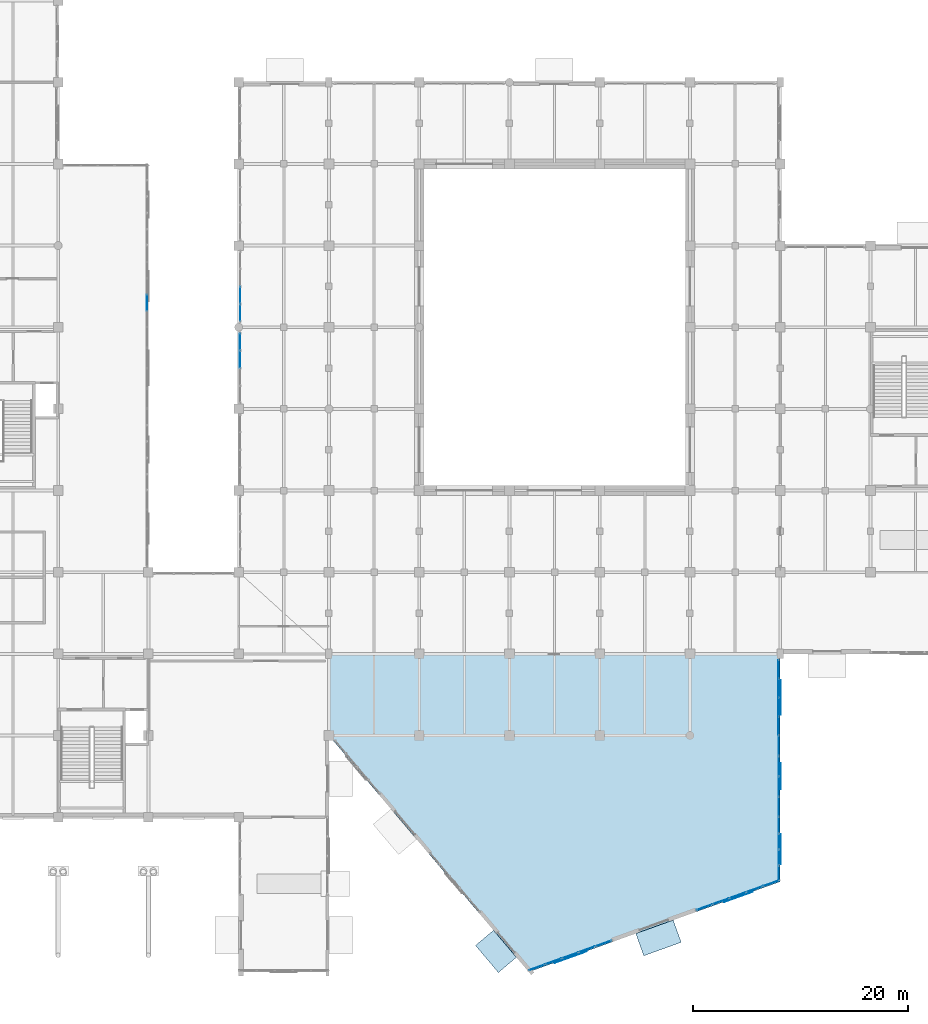
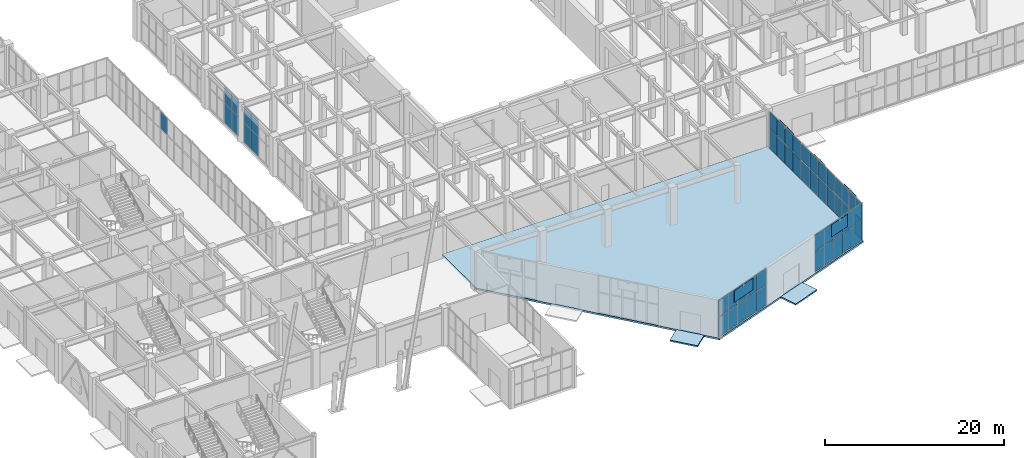
# One storey, part 103 of 139: 58 plates, 3 slabs, 8 elements without a shape of their own.
"""IFC4 building model written with IfcOpenShell, lengths in metres."""

from ifc_helpers import new_model, si_unit, direction, frame, origin, origin_2d, place, context, subcontext, project, spatial, polyline, rectangle, outline, extrude, material, layer, layer_set, type_object, element, aggregate, save


model = new_model("IFC4")

# Units and contexts
model_context = context("Model", 3, precision=1e-05, world=origin(), true_north=direction((0.0, 1.0)))
body_context = subcontext(model_context, "Body", "Model", "MODEL_VIEW")
ifc_project = project(units=[si_unit("LENGTHUNIT", "METRE"), si_unit("AREAUNIT", "SQUARE_METRE"), si_unit("VOLUMEUNIT", "CUBIC_METRE"), si_unit("PLANEANGLEUNIT", "RADIAN"), si_unit("MASSUNIT", "GRAM", prefix="KILO")], contexts=[model_context])

# Site, building, storey
site_placement = place(None, origin())
site = spatial("IfcSite", under=ifc_project, at=site_placement, CompositionType="ELEMENT")
building_placement = place(site_placement, origin())
building = spatial("IfcBuilding", under=site, at=building_placement, Name="Xicomal Pleat Aquarium", CompositionType="ELEMENT")
storey_placement = place(building_placement, origin())
storey = spatial("IfcBuildingStorey", under=building, at=storey_placement, Name="L01", CompositionType="ELEMENT", Elevation=0.0)

# Curtain wall, plate
ifc_material_1 = material(Name="Bronze anodized aluminium 6063-T6", Category="aluminium")
ifc_layer_1 = layer(ifc_material_1, 0.159912109375)
ifc_layer_set_1 = layer_set([ifc_layer_1], Name="Bronze anodized aluminium 6063-T6")
curtain_wall_type_1 = type_object("IfcCurtainWallType", Name="CW-SYS-01", PredefinedType="NOTDEFINED", material=ifc_layer_set_1)
curtain_wall_1_placement = place(storey_placement, origin())
curtain_wall_1 = element("IfcCurtainWall", 1, at=curtain_wall_1_placement, inside=storey, type_object=curtain_wall_type_1, Name="L01 unitised curtain wall CW-L01-024", PredefinedType="NOTDEFINED")
ifc_material_2 = material(Name="Insulated low-E laminated glass", Category="glass")
ifc_layer_2 = layer(ifc_material_2, 0.028076171875)
ifc_layer_set_2 = layer_set([ifc_layer_2], Name="Insulated low-E laminated glass")
plate_type_1 = type_object("IfcPlateType", Name="CWP-GLZ-28", PredefinedType="CURTAIN_PANEL", material=ifc_layer_set_2)
plate_1_placement = place(storey_placement, frame((35.260009765625, 63.080078125, 2.818359375), z_axis=(0.0, 0.0, 1.0), x_axis=(0.0, -1.0, 0.0)))
plate_1 = element("IfcPlate", 2, at=plate_1_placement, type_object=plate_type_1, Name="CW-01 panel 4.2", PredefinedType="CURTAIN_PANEL", context=body_context, shape_type="SweptSolid", body=[
    extrude(rectangle(XDim=1.455078125, YDim=0.028076171875, at=origin_2d()), origin(), (0.0, 0.0, 1.0), 2.276611328125),
])
aggregate(curtain_wall_1, [plate_1])

# Curtain wall, plates
ifc_material_3 = material(Name="Bronze anodized aluminium 6063-T6", Category="aluminium")
ifc_layer_3 = layer(ifc_material_3, 0.159912109375)
ifc_layer_set_3 = layer_set([ifc_layer_3], Name="Bronze anodized aluminium 6063-T6")
curtain_wall_type_2 = type_object("IfcCurtainWallType", Name="CW-SYS-11", PredefinedType="NOTDEFINED", material=ifc_layer_set_3)
curtain_wall_2_placement = place(storey_placement, origin())
curtain_wall_2 = element("IfcCurtainWall", 3, at=curtain_wall_2_placement, inside=storey, type_object=curtain_wall_type_2, Name="L01 unitised curtain wall CW-L01-032", PredefinedType="NOTDEFINED")
plate_2_placement = place(storey_placement, frame((43.93994140625, 62.161376953125, 0.0849609375), z_axis=(0.0, 0.0, 1.0), x_axis=(0.0, 1.0, 0.0)))
plate_2 = element("IfcPlate", 4, at=plate_2_placement, type_object=plate_type_1, Name="CW-11 panel 1.1", PredefinedType="CURTAIN_PANEL", context=body_context, shape_type="SweptSolid", body=[
    extrude(rectangle(XDim=1.512451171875, YDim=0.028076171875, at=origin_2d()), origin(), (0.0, 0.0, 1.0), 2.62646484375),
])
plate_3_placement = place(storey_placement, frame((43.93994140625, 62.161376953125, 2.79638671875), z_axis=(0.0, 0.0, 1.0), x_axis=(0.0, 1.0, 0.0)))
plate_3 = element("IfcPlate", 5, at=plate_3_placement, type_object=plate_type_1, Name="CW-11 panel 1.2", PredefinedType="CURTAIN_PANEL", context=body_context, shape_type="SweptSolid", body=[
    extrude(rectangle(XDim=1.512451171875, YDim=0.028076171875, at=origin_2d()), origin(), (0.0, 0.0, 1.0), 2.218505859375),
])
plate_4_placement = place(storey_placement, frame((43.93994140625, 63.780029296875, 0.0849609375), z_axis=(0.0, 0.0, 1.0), x_axis=(0.0, 1.0, 0.0)))
plate_4 = element("IfcPlate", 6, at=plate_4_placement, type_object=plate_type_1, Name="CW-11 panel 2.1", PredefinedType="CURTAIN_PANEL", context=body_context, shape_type="SweptSolid", body=[
    extrude(rectangle(XDim=1.554931640625, YDim=0.028076171875, at=origin_2d()), origin(), (0.0, 0.0, 1.0), 2.62646484375),
])
plate_5_placement = place(storey_placement, frame((43.93994140625, 63.780029296875, 2.79638671875), z_axis=(0.0, 0.0, 1.0), x_axis=(0.0, 1.0, 0.0)))
plate_5 = element("IfcPlate", 7, at=plate_5_placement, type_object=plate_type_1, Name="CW-11 panel 2.2", PredefinedType="CURTAIN_PANEL", context=body_context, shape_type="SweptSolid", body=[
    extrude(rectangle(XDim=1.554931640625, YDim=0.028076171875, at=origin_2d()), origin(), (0.0, 0.0, 1.0), 2.218505859375),
])
aggregate(curtain_wall_2, [plate_2, plate_3, plate_4, plate_5])

ifc_material_4 = material(Name="Bronze anodized aluminium 6063-T6", Category="aluminium")
ifc_layer_4 = layer(ifc_material_4, 0.159912109375)
ifc_layer_set_4 = layer_set([ifc_layer_4], Name="Bronze anodized aluminium 6063-T6")
curtain_wall_type_3 = type_object("IfcCurtainWallType", Name="CW-SYS-06", PredefinedType="NOTDEFINED", material=ifc_layer_set_4)
curtain_wall_3_placement = place(storey_placement, origin())
curtain_wall_3 = element("IfcCurtainWall", 8, at=curtain_wall_3_placement, inside=storey, type_object=curtain_wall_type_3, Name="L01 unitised curtain wall CW-L01-052", PredefinedType="NOTDEFINED")
plate_6_placement = place(storey_placement, frame((94.06005859375, 21.831298828125, 0.0751953125), z_axis=(0.0, 0.0, 1.0), x_axis=(0.0, -1.0, 0.0)))
plate_6 = element("IfcPlate", 9, at=plate_6_placement, type_object=plate_type_1, Name="CW-06 panel 1.1", PredefinedType="CURTAIN_PANEL", context=body_context, shape_type="SweptSolid", body=[
    extrude(rectangle(XDim=1.78759765625, YDim=0.028076171875, at=origin_2d()), origin(), (0.0, 0.0, 1.0), 2.673583984375),
])
plate_7_placement = place(storey_placement, frame((94.06005859375, 21.831298828125, 2.82373046875), z_axis=(0.0, 0.0, 1.0), x_axis=(0.0, -1.0, 0.0)))
plate_7 = element("IfcPlate", 10, at=plate_7_placement, type_object=plate_type_1, Name="CW-06 panel 1.2", PredefinedType="CURTAIN_PANEL", context=body_context, shape_type="SweptSolid", body=[
    extrude(rectangle(XDim=1.78759765625, YDim=0.028076171875, at=origin_2d()), origin(), (0.0, 0.0, 1.0), 2.261474609375),
])
plate_8_placement = place(storey_placement, frame((94.06005859375, 19.949951171875, 0.0751953125), z_axis=(0.0, 0.0, 1.0), x_axis=(0.0, -1.0, 0.0)))
plate_8 = element("IfcPlate", 11, at=plate_8_placement, type_object=plate_type_1, Name="CW-06 panel 2.1", PredefinedType="CURTAIN_PANEL", context=body_context, shape_type="SweptSolid", body=[
    extrude(rectangle(XDim=1.824951171875, YDim=0.028076171875, at=origin_2d()), origin(), (0.0, 0.0, 1.0), 2.673583984375),
])
plate_9_placement = place(storey_placement, frame((94.06005859375, 19.949951171875, 2.82373046875), z_axis=(0.0, 0.0, 1.0), x_axis=(0.0, -1.0, 0.0)))
plate_9 = element("IfcPlate", 12, at=plate_9_placement, type_object=plate_type_1, Name="CW-06 panel 2.2", PredefinedType="CURTAIN_PANEL", context=body_context, shape_type="SweptSolid", body=[
    extrude(rectangle(XDim=1.824951171875, YDim=0.028076171875, at=origin_2d()), origin(), (0.0, 0.0, 1.0), 2.261474609375),
])
plate_10_placement = place(storey_placement, frame((94.06005859375, 18.050048828125, 0.0751953125), z_axis=(0.0, 0.0, 1.0), x_axis=(0.0, -1.0, 0.0)))
plate_10 = element("IfcPlate", 13, at=plate_10_placement, type_object=plate_type_1, Name="CW-06 panel 3.1", PredefinedType="CURTAIN_PANEL", context=body_context, shape_type="SweptSolid", body=[
    extrude(rectangle(XDim=1.824951171875, YDim=0.028076171875, at=origin_2d()), origin(), (0.0, 0.0, 1.0), 2.673583984375),
])
plate_11_placement = place(storey_placement, frame((94.06005859375, 18.050048828125, 2.82373046875), z_axis=(0.0, 0.0, 1.0), x_axis=(0.0, -1.0, 0.0)))
plate_11 = element("IfcPlate", 14, at=plate_11_placement, type_object=plate_type_1, Name="CW-06 panel 3.2", PredefinedType="CURTAIN_PANEL", context=body_context, shape_type="SweptSolid", body=[
    extrude(rectangle(XDim=1.824951171875, YDim=0.028076171875, at=origin_2d()), origin(), (0.0, 0.0, 1.0), 2.261474609375),
])
plate_12_placement = place(storey_placement, frame((94.06005859375, 16.168701171875, 0.0751953125), z_axis=(0.0, 0.0, 1.0), x_axis=(0.0, -1.0, 0.0)))
plate_12 = element("IfcPlate", 15, at=plate_12_placement, type_object=plate_type_1, Name="CW-06 panel 4.1", PredefinedType="CURTAIN_PANEL", context=body_context, shape_type="SweptSolid", body=[
    extrude(rectangle(XDim=1.78759765625, YDim=0.028076171875, at=origin_2d()), origin(), (0.0, 0.0, 1.0), 2.673583984375),
])
plate_13_placement = place(storey_placement, frame((94.06005859375, 16.168701171875, 2.82373046875), z_axis=(0.0, 0.0, 1.0), x_axis=(0.0, -1.0, 0.0)))
plate_13 = element("IfcPlate", 16, at=plate_13_placement, type_object=plate_type_1, Name="CW-06 panel 4.2", PredefinedType="CURTAIN_PANEL", context=body_context, shape_type="SweptSolid", body=[
    extrude(rectangle(XDim=1.78759765625, YDim=0.028076171875, at=origin_2d()), origin(), (0.0, 0.0, 1.0), 2.261474609375),
])
aggregate(curtain_wall_3, [plate_6, plate_7, plate_8, plate_9, plate_10, plate_11, plate_12, plate_13])

curtain_wall_4_placement = place(storey_placement, origin())
curtain_wall_4 = element("IfcCurtainWall", 17, at=curtain_wall_4_placement, inside=storey, type_object=curtain_wall_type_3, Name="L01 unitised curtain wall CW-L01-001", PredefinedType="NOTDEFINED")
ifc_material_5 = material(Name="Insulated low-E laminated glass", Category="glass")
ifc_layer_5 = layer(ifc_material_5, 0.031982421875)
ifc_layer_set_5 = layer_set([ifc_layer_5], Name="Insulated low-E laminated glass")
plate_type_2 = type_object("IfcPlateType", Name="CWP-GLZ-32", PredefinedType="CURTAIN_PANEL", material=ifc_layer_set_5)
plate_14_placement = place(storey_placement, frame((93.35546875, 9.045654296875, 0.0751953125), z_axis=(0.0, 0.0, 1.0), x_axis=(-0.941194670764, -0.3378647536, 0.0)))
plate_14 = element("IfcPlate", 18, at=plate_14_placement, type_object=plate_type_2, Name="CW-06 panel 1.1", PredefinedType="CURTAIN_PANEL", context=body_context, shape_type="SweptSolid", body=[
    extrude(rectangle(XDim=1.544921875, YDim=0.031982421875, at=origin_2d()), origin(), (0.0, 0.0, 1.0), 2.673583984375),
])
plate_15_placement = place(storey_placement, frame((93.35546875, 9.045654296875, 2.82373046875), z_axis=(0.0, 0.0, 1.0), x_axis=(-0.941194670764, -0.3378647536, 0.0)))
plate_15 = element("IfcPlate", 19, at=plate_15_placement, type_object=plate_type_2, Name="CW-06 panel 1.2", PredefinedType="CURTAIN_PANEL", context=body_context, shape_type="SweptSolid", body=[
    extrude(rectangle(XDim=1.544921875, YDim=0.031982421875, at=origin_2d()), origin(), (0.0, 0.0, 1.0), 2.261474609375),
])
plate_16_placement = place(storey_placement, frame((91.81298828125, 8.491943359375, 0.0751953125), z_axis=(0.0, 0.0, 1.0), x_axis=(-0.941194670764, -0.3378647536, 0.0)))
plate_16 = element("IfcPlate", 20, at=plate_16_placement, type_object=plate_type_2, Name="CW-06 panel 2.1", PredefinedType="CURTAIN_PANEL", context=body_context, shape_type="SweptSolid", body=[
    extrude(rectangle(XDim=1.58251953125, YDim=0.031982421875, at=origin_2d()), origin(), (0.0, 0.0, 1.0), 2.673583984375),
])
plate_17_placement = place(storey_placement, frame((91.81298828125, 8.491943359375, 2.82373046875), z_axis=(0.0, 0.0, 1.0), x_axis=(-0.941194670764, -0.3378647536, 0.0)))
plate_17 = element("IfcPlate", 21, at=plate_17_placement, type_object=plate_type_2, Name="CW-06 panel 2.2", PredefinedType="CURTAIN_PANEL", context=body_context, shape_type="SweptSolid", body=[
    extrude(rectangle(XDim=1.58251953125, YDim=0.031982421875, at=origin_2d()), origin(), (0.0, 0.0, 1.0), 2.261474609375),
])
plate_18_placement = place(storey_placement, frame((90.2529296875, 7.931884765625, 0.0751953125), z_axis=(0.0, 0.0, 1.0), x_axis=(-0.941194670764, -0.3378647536, 0.0)))
plate_18 = element("IfcPlate", 22, at=plate_18_placement, type_object=plate_type_2, Name="CW-06 panel 3.1", PredefinedType="CURTAIN_PANEL", context=body_context, shape_type="SweptSolid", body=[
    extrude(rectangle(XDim=1.58251953125, YDim=0.031982421875, at=origin_2d()), origin(), (0.0, 0.0, 1.0), 2.673583984375),
])
plate_19_placement = place(storey_placement, frame((90.2529296875, 7.931884765625, 2.82373046875), z_axis=(0.0, 0.0, 1.0), x_axis=(-0.941194670764, -0.3378647536, 0.0)))
plate_19 = element("IfcPlate", 23, at=plate_19_placement, type_object=plate_type_2, Name="CW-06 panel 3.2", PredefinedType="CURTAIN_PANEL", context=body_context, shape_type="SweptSolid", body=[
    extrude(rectangle(XDim=1.58251953125, YDim=0.031982421875, at=origin_2d()), origin(), (0.0, 0.0, 1.0), 2.261474609375),
])
plate_20_placement = place(storey_placement, frame((88.693115234375, 7.3720703125, 0.0751953125), z_axis=(0.0, 0.0, 1.0), x_axis=(-0.941194670764, -0.3378647536, 0.0)))
plate_20 = element("IfcPlate", 24, at=plate_20_placement, type_object=plate_type_2, Name="CW-06 panel 4.1", PredefinedType="CURTAIN_PANEL", context=body_context, shape_type="SweptSolid", body=[
    extrude(rectangle(XDim=1.58251953125, YDim=0.031982421875, at=origin_2d()), origin(), (0.0, 0.0, 1.0), 2.673583984375),
])
plate_21_placement = place(storey_placement, frame((88.693115234375, 7.3720703125, 2.82373046875), z_axis=(0.0, 0.0, 1.0), x_axis=(-0.941194670764, -0.3378647536, 0.0)))
plate_21 = element("IfcPlate", 25, at=plate_21_placement, type_object=plate_type_2, Name="CW-06 panel 4.2", PredefinedType="CURTAIN_PANEL", context=body_context, shape_type="SweptSolid", body=[
    extrude(rectangle(XDim=1.58251953125, YDim=0.031982421875, at=origin_2d()), origin(), (0.0, 0.0, 1.0), 2.261474609375),
])
plate_22_placement = place(storey_placement, frame((87.150634765625, 6.818359375, 0.0751953125), z_axis=(0.0, 0.0, 1.0), x_axis=(-0.941194670764, -0.3378647536, 0.0)))
plate_22 = element("IfcPlate", 26, at=plate_22_placement, type_object=plate_type_2, Name="CW-06 panel 5.1", PredefinedType="CURTAIN_PANEL", context=body_context, shape_type="SweptSolid", body=[
    extrude(rectangle(XDim=1.544921875, YDim=0.031982421875, at=origin_2d()), origin(), (0.0, 0.0, 1.0), 2.673583984375),
])
plate_23_placement = place(storey_placement, frame((87.150634765625, 6.818359375, 2.82373046875), z_axis=(0.0, 0.0, 1.0), x_axis=(-0.941194670764, -0.3378647536, 0.0)))
plate_23 = element("IfcPlate", 27, at=plate_23_placement, type_object=plate_type_2, Name="CW-06 panel 5.2", PredefinedType="CURTAIN_PANEL", context=body_context, shape_type="SweptSolid", body=[
    extrude(rectangle(XDim=1.544921875, YDim=0.031982421875, at=origin_2d()), origin(), (0.0, 0.0, 1.0), 2.261474609375),
])
aggregate(curtain_wall_4, [plate_14, plate_15, plate_16, plate_17, plate_18, plate_19, plate_20, plate_21, plate_22, plate_23])

curtain_wall_5_placement = place(storey_placement, origin())
curtain_wall_5 = element("IfcCurtainWall", 28, at=curtain_wall_5_placement, inside=storey, type_object=curtain_wall_type_2, Name="L01 unitised curtain wall CW-L01-053", PredefinedType="NOTDEFINED")
plate_24_placement = place(storey_placement, frame((94.06005859375, 14.4287109375, 0.0849609375), z_axis=(0.0, 0.0, 1.0), x_axis=(0.0, -1.0, 0.0)))
plate_24 = element("IfcPlate", 29, at=plate_24_placement, type_object=plate_type_2, Name="CW-11 panel 1.1", PredefinedType="CURTAIN_PANEL", context=body_context, shape_type="SweptSolid", body=[
    extrude(rectangle(XDim=1.37255859375, YDim=0.031982421875, at=origin_2d()), origin(), (0.0, 0.0, 1.0), 2.658447265625),
])
plate_25_placement = place(storey_placement, frame((94.06005859375, 14.4287109375, 2.828369140625), z_axis=(0.0, 0.0, 1.0), x_axis=(0.0, -1.0, 0.0)))
plate_25 = element("IfcPlate", 30, at=plate_25_placement, type_object=plate_type_2, Name="CW-11 panel 1.2", PredefinedType="CURTAIN_PANEL", context=body_context, shape_type="SweptSolid", body=[
    extrude(rectangle(XDim=1.37255859375, YDim=0.031982421875, at=origin_2d()), origin(), (0.0, 0.0, 1.0), 2.24658203125),
])
plate_26_placement = place(storey_placement, frame((94.06005859375, 12.949951171875, 0.0849609375), z_axis=(0.0, 0.0, 1.0), x_axis=(0.0, -1.0, 0.0)))
plate_26 = element("IfcPlate", 31, at=plate_26_placement, type_object=plate_type_2, Name="CW-11 panel 2.1", PredefinedType="CURTAIN_PANEL", context=body_context, shape_type="SweptSolid", body=[
    extrude(rectangle(XDim=1.4150390625, YDim=0.031982421875, at=origin_2d()), origin(), (0.0, 0.0, 1.0), 2.658447265625),
])
plate_27_placement = place(storey_placement, frame((94.06005859375, 12.949951171875, 2.828369140625), z_axis=(0.0, 0.0, 1.0), x_axis=(0.0, -1.0, 0.0)))
plate_27 = element("IfcPlate", 32, at=plate_27_placement, type_object=plate_type_2, Name="CW-11 panel 2.2", PredefinedType="CURTAIN_PANEL", context=body_context, shape_type="SweptSolid", body=[
    extrude(rectangle(XDim=1.4150390625, YDim=0.031982421875, at=origin_2d()), origin(), (0.0, 0.0, 1.0), 2.24658203125),
])
plate_28_placement = place(storey_placement, frame((94.06005859375, 11.449951171875, 0.0849609375), z_axis=(0.0, 0.0, 1.0), x_axis=(0.0, -1.0, 0.0)))
plate_28 = element("IfcPlate", 33, at=plate_28_placement, type_object=plate_type_2, Name="CW-11 panel 3.1", PredefinedType="CURTAIN_PANEL", context=body_context, shape_type="SweptSolid", body=[
    extrude(rectangle(XDim=1.4150390625, YDim=0.031982421875, at=origin_2d()), origin(), (0.0, 0.0, 1.0), 2.658447265625),
])
plate_29_placement = place(storey_placement, frame((94.06005859375, 11.449951171875, 2.828369140625), z_axis=(0.0, 0.0, 1.0), x_axis=(0.0, -1.0, 0.0)))
plate_29 = element("IfcPlate", 34, at=plate_29_placement, type_object=plate_type_2, Name="CW-11 panel 3.2", PredefinedType="CURTAIN_PANEL", context=body_context, shape_type="SweptSolid", body=[
    extrude(rectangle(XDim=1.4150390625, YDim=0.031982421875, at=origin_2d()), origin(), (0.0, 0.0, 1.0), 2.24658203125),
])
plate_30_placement = place(storey_placement, frame((94.06005859375, 9.97119140625, 0.0849609375), z_axis=(0.0, 0.0, 1.0), x_axis=(0.0, -1.0, 0.0)))
plate_30 = element("IfcPlate", 35, at=plate_30_placement, type_object=plate_type_2, Name="CW-11 panel 4.1", PredefinedType="CURTAIN_PANEL", context=body_context, shape_type="SweptSolid", body=[
    extrude(rectangle(XDim=1.37255859375, YDim=0.031982421875, at=origin_2d()), origin(), (0.0, 0.0, 1.0), 2.658447265625),
])
plate_31_placement = place(storey_placement, frame((94.06005859375, 9.97119140625, 2.828369140625), z_axis=(0.0, 0.0, 1.0), x_axis=(0.0, -1.0, 0.0)))
plate_31 = element("IfcPlate", 36, at=plate_31_placement, type_object=plate_type_2, Name="CW-11 panel 4.2", PredefinedType="CURTAIN_PANEL", context=body_context, shape_type="SweptSolid", body=[
    extrude(rectangle(XDim=1.37255859375, YDim=0.031982421875, at=origin_2d()), origin(), (0.0, 0.0, 1.0), 2.24658203125),
])
aggregate(curtain_wall_5, [plate_24, plate_25, plate_26, plate_27, plate_28, plate_29, plate_30, plate_31])

curtain_wall_6_placement = place(storey_placement, origin())
curtain_wall_6 = element("IfcCurtainWall", 37, at=curtain_wall_6_placement, inside=storey, type_object=curtain_wall_type_2, Name="L01 unitised curtain wall CW-L01-002", PredefinedType="NOTDEFINED")
ifc_material_6 = material(Name="Insulated low-E laminated glass", Category="glass")
ifc_layer_6 = layer(ifc_material_6, 0.035888671875)
ifc_layer_set_6 = layer_set([ifc_layer_6], Name="Insulated low-E laminated glass")
plate_type_3 = type_object("IfcPlateType", Name="CWP-GLZ-36", PredefinedType="CURTAIN_PANEL", material=ifc_layer_set_6)
plate_32_placement = place(storey_placement, frame((77.7529296875, 3.44482421875, 0.0849609375), z_axis=(0.0, 0.0, 1.0), x_axis=(-0.941194670764, -0.3378647536, 0.0)))
plate_32 = element("IfcPlate", 38, at=plate_32_placement, type_object=plate_type_3, Name="CW-11 panel 1.1", PredefinedType="CURTAIN_PANEL", context=body_context, shape_type="SweptSolid", body=[
    extrude(rectangle(XDim=1.530029296875, YDim=0.035888671875, at=origin_2d()), origin(), (0.0, 0.0, 1.0), 2.658447265625),
])
plate_33_placement = place(storey_placement, frame((77.7529296875, 3.44482421875, 2.828369140625), z_axis=(0.0, 0.0, 1.0), x_axis=(-0.941194670764, -0.3378647536, 0.0)))
plate_33 = element("IfcPlate", 39, at=plate_33_placement, type_object=plate_type_3, Name="CW-11 panel 1.2", PredefinedType="CURTAIN_PANEL", context=body_context, shape_type="SweptSolid", body=[
    extrude(rectangle(XDim=1.530029296875, YDim=0.035888671875, at=origin_2d()), origin(), (0.0, 0.0, 1.0), 2.24658203125),
])
plate_34_placement = place(storey_placement, frame((76.212890625, 2.89208984375, 0.0849609375), z_axis=(0.0, 0.0, 1.0), x_axis=(-0.941194670764, -0.3378647536, 0.0)))
plate_34 = element("IfcPlate", 40, at=plate_34_placement, type_object=plate_type_3, Name="CW-11 panel 2.1", PredefinedType="CURTAIN_PANEL", context=body_context, shape_type="SweptSolid", body=[
    extrude(rectangle(XDim=1.572509765625, YDim=0.035888671875, at=origin_2d()), origin(), (0.0, 0.0, 1.0), 2.658447265625),
])
plate_35_placement = place(storey_placement, frame((76.212890625, 2.89208984375, 2.828369140625), z_axis=(0.0, 0.0, 1.0), x_axis=(-0.941194670764, -0.3378647536, 0.0)))
plate_35 = element("IfcPlate", 41, at=plate_35_placement, type_object=plate_type_3, Name="CW-11 panel 2.2", PredefinedType="CURTAIN_PANEL", context=body_context, shape_type="SweptSolid", body=[
    extrude(rectangle(XDim=1.572509765625, YDim=0.035888671875, at=origin_2d()), origin(), (0.0, 0.0, 1.0), 2.24658203125),
])
plate_36_placement = place(storey_placement, frame((74.653076171875, 2.33203125, 0.0849609375), z_axis=(0.0, 0.0, 1.0), x_axis=(-0.941194670764, -0.3378647536, 0.0)))
plate_36 = element("IfcPlate", 42, at=plate_36_placement, type_object=plate_type_3, Name="CW-11 panel 3.1", PredefinedType="CURTAIN_PANEL", context=body_context, shape_type="SweptSolid", body=[
    extrude(rectangle(XDim=1.572509765625, YDim=0.035888671875, at=origin_2d()), origin(), (0.0, 0.0, 1.0), 2.658447265625),
])
plate_37_placement = place(storey_placement, frame((74.653076171875, 2.33203125, 2.828369140625), z_axis=(0.0, 0.0, 1.0), x_axis=(-0.941194670764, -0.3378647536, 0.0)))
plate_37 = element("IfcPlate", 43, at=plate_37_placement, type_object=plate_type_3, Name="CW-11 panel 3.2", PredefinedType="CURTAIN_PANEL", context=body_context, shape_type="SweptSolid", body=[
    extrude(rectangle(XDim=1.572509765625, YDim=0.035888671875, at=origin_2d()), origin(), (0.0, 0.0, 1.0), 2.24658203125),
])
plate_38_placement = place(storey_placement, frame((73.093017578125, 1.77197265625, 0.0849609375), z_axis=(0.0, 0.0, 1.0), x_axis=(-0.941194670764, -0.3378647536, 0.0)))
plate_38 = element("IfcPlate", 44, at=plate_38_placement, type_object=plate_type_3, Name="CW-11 panel 4.1", PredefinedType="CURTAIN_PANEL", context=body_context, shape_type="SweptSolid", body=[
    extrude(rectangle(XDim=1.572509765625, YDim=0.035888671875, at=origin_2d()), origin(), (0.0, 0.0, 1.0), 2.658447265625),
])
plate_39_placement = place(storey_placement, frame((73.093017578125, 1.77197265625, 2.828369140625), z_axis=(0.0, 0.0, 1.0), x_axis=(-0.941194670764, -0.3378647536, 0.0)))
plate_39 = element("IfcPlate", 45, at=plate_39_placement, type_object=plate_type_3, Name="CW-11 panel 4.2", PredefinedType="CURTAIN_PANEL", context=body_context, shape_type="SweptSolid", body=[
    extrude(rectangle(XDim=1.572509765625, YDim=0.035888671875, at=origin_2d()), origin(), (0.0, 0.0, 1.0), 2.24658203125),
])
plate_40_placement = place(storey_placement, frame((71.552978515625, 1.21923828125, 0.0849609375), z_axis=(0.0, 0.0, 1.0), x_axis=(-0.941194670764, -0.3378647536, 0.0)))
plate_40 = element("IfcPlate", 46, at=plate_40_placement, type_object=plate_type_3, Name="CW-11 panel 5.1", PredefinedType="CURTAIN_PANEL", context=body_context, shape_type="SweptSolid", body=[
    extrude(rectangle(XDim=1.530029296875, YDim=0.035888671875, at=origin_2d()), origin(), (0.0, 0.0, 1.0), 2.658447265625),
])
plate_41_placement = place(storey_placement, frame((71.552978515625, 1.21923828125, 2.828369140625), z_axis=(0.0, 0.0, 1.0), x_axis=(-0.941194670764, -0.3378647536, 0.0)))
plate_41 = element("IfcPlate", 47, at=plate_41_placement, type_object=plate_type_3, Name="CW-11 panel 5.2", PredefinedType="CURTAIN_PANEL", context=body_context, shape_type="SweptSolid", body=[
    extrude(rectangle(XDim=1.530029296875, YDim=0.035888671875, at=origin_2d()), origin(), (0.0, 0.0, 1.0), 2.24658203125),
])
aggregate(curtain_wall_6, [plate_32, plate_33, plate_34, plate_35, plate_36, plate_37, plate_38, plate_39, plate_40, plate_41])

curtain_wall_7_placement = place(storey_placement, origin())
curtain_wall_7 = element("IfcCurtainWall", 48, at=curtain_wall_7_placement, inside=storey, type_object=curtain_wall_type_3, Name="L01 unitised curtain wall CW-L01-031", PredefinedType="NOTDEFINED")
ifc_material_7 = material(Name="Insulated low-E laminated glass", Category="glass")
ifc_layer_7 = layer(ifc_material_7, 0.0419921875)
ifc_layer_set_7 = layer_set([ifc_layer_7], Name="Insulated low-E laminated glass")
plate_type_4 = type_object("IfcPlateType", Name="CWP-GLZ-42", PredefinedType="CURTAIN_PANEL", material=ifc_layer_set_7)
plate_42_placement = place(storey_placement, frame((43.93994140625, 57.820068359375, 0.074951171875), z_axis=(0.0, 0.0, 1.0), x_axis=(0.0, 1.0, 0.0)))
plate_42 = element("IfcPlate", 49, at=plate_42_placement, type_object=plate_type_4, Name="CW-06 panel 3.1", PredefinedType="CURTAIN_PANEL", context=body_context, shape_type="SweptSolid", body=[
    extrude(rectangle(XDim=1.56494140625, YDim=0.0419921875, at=origin_2d()), origin(), (0.0, 0.0, 1.0), 2.6416015625),
])
plate_43_placement = place(storey_placement, frame((43.93994140625, 57.820068359375, 2.79150390625), z_axis=(0.0, 0.0, 1.0), x_axis=(0.0, 1.0, 0.0)))
plate_43 = element("IfcPlate", 50, at=plate_43_placement, type_object=plate_type_4, Name="CW-06 panel 3.2", PredefinedType="CURTAIN_PANEL", context=body_context, shape_type="SweptSolid", body=[
    extrude(rectangle(XDim=1.56494140625, YDim=0.0419921875, at=origin_2d()), origin(), (0.0, 0.0, 1.0), 2.2333984375),
])
plate_44_placement = place(storey_placement, frame((43.93994140625, 59.44140625, 0.074951171875), z_axis=(0.0, 0.0, 1.0), x_axis=(0.0, 1.0, 0.0)))
plate_44 = element("IfcPlate", 51, at=plate_44_placement, type_object=plate_type_4, Name="CW-06 panel 4.1", PredefinedType="CURTAIN_PANEL", context=body_context, shape_type="SweptSolid", body=[
    extrude(rectangle(XDim=1.527587890625, YDim=0.0419921875, at=origin_2d()), origin(), (0.0, 0.0, 1.0), 2.6416015625),
])
plate_45_placement = place(storey_placement, frame((43.93994140625, 59.44140625, 2.79150390625), z_axis=(0.0, 0.0, 1.0), x_axis=(0.0, 1.0, 0.0)))
plate_45 = element("IfcPlate", 52, at=plate_45_placement, type_object=plate_type_4, Name="CW-06 panel 4.2", PredefinedType="CURTAIN_PANEL", context=body_context, shape_type="SweptSolid", body=[
    extrude(rectangle(XDim=1.527587890625, YDim=0.0419921875, at=origin_2d()), origin(), (0.0, 0.0, 1.0), 2.2333984375),
])
aggregate(curtain_wall_7, [plate_42, plate_43, plate_44, plate_45])

curtain_wall_8_placement = place(storey_placement, origin())
curtain_wall_8 = element("IfcCurtainWall", 53, at=curtain_wall_8_placement, inside=storey, type_object=curtain_wall_type_1, Name="L01 unitised curtain wall CW-L01-051", PredefinedType="NOTDEFINED")
plate_46_placement = place(storey_placement, frame((94.06005859375, 28.978759765625, 0.06494140625), z_axis=(0.0, 0.0, 1.0), x_axis=(0.0, -1.0, 0.0)))
plate_46 = element("IfcPlate", 54, at=plate_46_placement, type_object=plate_type_4, Name="CW-01 panel 1.1", PredefinedType="CURTAIN_PANEL", context=body_context, shape_type="SweptSolid", body=[
    extrude(rectangle(XDim=1.672607421875, YDim=0.0419921875, at=origin_2d()), origin(), (0.0, 0.0, 1.0), 2.6884765625),
])
plate_47_placement = place(storey_placement, frame((94.06005859375, 28.978759765625, 2.818359375), z_axis=(0.0, 0.0, 1.0), x_axis=(0.0, -1.0, 0.0)))
plate_47 = element("IfcPlate", 55, at=plate_47_placement, type_object=plate_type_4, Name="CW-01 panel 1.2", PredefinedType="CURTAIN_PANEL", context=body_context, shape_type="SweptSolid", body=[
    extrude(rectangle(XDim=1.672607421875, YDim=0.0419921875, at=origin_2d()), origin(), (0.0, 0.0, 1.0), 2.276611328125),
])
plate_48_placement = place(storey_placement, frame((94.06005859375, 27.22509765625, 0.06494140625), z_axis=(0.0, 0.0, 1.0), x_axis=(0.0, -1.0, 0.0)))
plate_48 = element("IfcPlate", 56, at=plate_48_placement, type_object=plate_type_4, Name="CW-01 panel 2.1", PredefinedType="CURTAIN_PANEL", context=body_context, shape_type="SweptSolid", body=[
    extrude(rectangle(XDim=1.705078125, YDim=0.0419921875, at=origin_2d()), origin(), (0.0, 0.0, 1.0), 2.6884765625),
])
plate_49_placement = place(storey_placement, frame((94.06005859375, 27.22509765625, 2.818359375), z_axis=(0.0, 0.0, 1.0), x_axis=(0.0, -1.0, 0.0)))
plate_49 = element("IfcPlate", 57, at=plate_49_placement, type_object=plate_type_4, Name="CW-01 panel 2.2", PredefinedType="CURTAIN_PANEL", context=body_context, shape_type="SweptSolid", body=[
    extrude(rectangle(XDim=1.705078125, YDim=0.0419921875, at=origin_2d()), origin(), (0.0, 0.0, 1.0), 2.276611328125),
])
plate_50_placement = place(storey_placement, frame((94.06005859375, 25.455078125, 0.06494140625), z_axis=(0.0, 0.0, 1.0), x_axis=(0.0, -1.0, 0.0)))
plate_50 = element("IfcPlate", 58, at=plate_50_placement, type_object=plate_type_4, Name="CW-01 panel 3.1", PredefinedType="CURTAIN_PANEL", context=body_context, shape_type="SweptSolid", body=[
    extrude(rectangle(XDim=1.705078125, YDim=0.0419921875, at=origin_2d()), origin(), (0.0, 0.0, 1.0), 2.6884765625),
])
plate_51_placement = place(storey_placement, frame((94.06005859375, 25.455078125, 2.818359375), z_axis=(0.0, 0.0, 1.0), x_axis=(0.0, -1.0, 0.0)))
plate_51 = element("IfcPlate", 59, at=plate_51_placement, type_object=plate_type_4, Name="CW-01 panel 3.2", PredefinedType="CURTAIN_PANEL", context=body_context, shape_type="SweptSolid", body=[
    extrude(rectangle(XDim=1.705078125, YDim=0.0419921875, at=origin_2d()), origin(), (0.0, 0.0, 1.0), 2.276611328125),
])
plate_52_placement = place(storey_placement, frame((94.06005859375, 23.701416015625, 0.06494140625), z_axis=(0.0, 0.0, 1.0), x_axis=(0.0, -1.0, 0.0)))
plate_52 = element("IfcPlate", 60, at=plate_52_placement, type_object=plate_type_4, Name="CW-01 panel 4.1", PredefinedType="CURTAIN_PANEL", context=body_context, shape_type="SweptSolid", body=[
    extrude(rectangle(XDim=1.672607421875, YDim=0.0419921875, at=origin_2d()), origin(), (0.0, 0.0, 1.0), 2.6884765625),
])
plate_53_placement = place(storey_placement, frame((94.06005859375, 23.701416015625, 2.818359375), z_axis=(0.0, 0.0, 1.0), x_axis=(0.0, -1.0, 0.0)))
plate_53 = element("IfcPlate", 61, at=plate_53_placement, type_object=plate_type_4, Name="CW-01 panel 4.2", PredefinedType="CURTAIN_PANEL", context=body_context, shape_type="SweptSolid", body=[
    extrude(rectangle(XDim=1.672607421875, YDim=0.0419921875, at=origin_2d()), origin(), (0.0, 0.0, 1.0), 2.276611328125),
])
aggregate(curtain_wall_8, [plate_46, plate_47, plate_48, plate_49, plate_50, plate_51, plate_52, plate_53])

# Plates
ifc_material_8 = material(Name="Perforated bronze anodized aluminium", Category="aluminium")
ifc_layer_8 = layer(ifc_material_8, 0.01611328125)
ifc_layer_set_8 = layer_set([ifc_layer_8], Name="Perforated bronze anodized aluminium")
plate_type_5 = type_object("IfcPlateType", Name="PLT-SUN-16", PredefinedType="USERDEFINED", material=ifc_layer_set_8)
plate_54_placement = place(storey_placement, frame((94.219970703125, 19.0, 3.919921875), z_axis=(0.0, 0.0, 1.0), x_axis=(0.0, -1.0, 0.0)))
element("IfcPlate", 62, at=plate_54_placement, inside=storey, type_object=plate_type_5, Name="L01 perforated solar sunshade 27", ObjectType="SUNSHADE PANEL", PredefinedType="USERDEFINED", context=body_context, shape_type="SweptSolid", body=[
    extrude(rectangle(XDim=2.39990234375, YDim=0.01611328125, at=origin_2d()), origin(), (0.0, 0.0, 1.0), 1.199951171875),
])
ifc_material_9 = material(Name="Perforated bronze anodized aluminium", Category="aluminium")
ifc_layer_9 = layer(ifc_material_9, 0.02001953125)
ifc_layer_set_9 = layer_set([ifc_layer_9], Name="Perforated bronze anodized aluminium")
plate_type_6 = type_object("IfcPlateType", Name="PLT-SUN-20", PredefinedType="USERDEFINED", material=ifc_layer_set_9)
for number, where, z_axis, x_axis, name in (
    (63, (90.306884765625, 7.781005859375, 3.43994140625), (0.0, 0.0, 1.0), (-0.941176015256, -0.337916718003, 0.0), "L01 perforated solar sunshade 1"),
    (64, (94.219970703125, 12.199951171875, 3.43994140625), (0.0, 0.0, 1.0), (0.0, -1.0, 0.0), "L01 perforated solar sunshade 28"),
):
    element("IfcPlate", number, at=place(storey_placement, frame(where, z_axis=z_axis, x_axis=x_axis)), inside=storey, type_object=plate_type_6, Name=name, ObjectType="SUNSHADE PANEL", PredefinedType="USERDEFINED", context=body_context, shape_type="SweptSolid", body=[
        extrude(rectangle(XDim=2.800048828125, YDim=0.02001953125, at=origin_2d()), origin(), (0.0, 0.0, 1.0), 1.679931640625),
    ])
ifc_material_10 = material(Name="Perforated bronze anodized aluminium", Category="aluminium")
ifc_layer_10 = layer(ifc_material_10, 0.02392578125)
ifc_layer_set_10 = layer_set([ifc_layer_10], Name="Perforated bronze anodized aluminium")
plate_type_7 = type_object("IfcPlateType", Name="PLT-SUN-24", PredefinedType="USERDEFINED", material=ifc_layer_set_10)
for number, where, z_axis, x_axis, name in (
    (65, (74.70703125, 2.180908203125, 3.52001953125), (0.0, 0.0, 1.0), (-0.941176015256, -0.337916718003, 0.0), "L01 perforated solar sunshade 2"),
    (66, (94.219970703125, 26.340087890625, 3.52001953125), (0.0, 0.0, 1.0), (0.0, -1.0, 0.0), "L01 perforated solar sunshade 26"),
):
    element("IfcPlate", number, at=place(storey_placement, frame(where, z_axis=z_axis, x_axis=x_axis)), inside=storey, type_object=plate_type_7, Name=name, ObjectType="SUNSHADE PANEL", PredefinedType="USERDEFINED", context=body_context, shape_type="SweptSolid", body=[
        extrude(rectangle(XDim=3.199951171875, YDim=0.02392578125, at=origin_2d()), origin(), (0.0, 0.0, 1.0), 1.60009765625),
    ])

# Slabs
ifc_material_11 = material(Name="Concrete C35/45", Category="concrete")
ifc_layer_11 = layer(ifc_material_11, 0.239990234375)
ifc_layer_set_11 = layer_set([ifc_layer_11], Name="Concrete C35/45")
slab_type_1 = type_object("IfcSlabType", Name="SLB-FLR-240", PredefinedType="FLOOR", material=ifc_layer_set_11)
slab_1_placement = place(storey_placement, frame((0.0, 0.0, -0.239990234375)))
element("IfcSlab", 67, at=slab_1_placement, inside=storey, type_object=slab_type_1, Name="L01 structural slab V2", PredefinedType="FLOOR", context=body_context, shape_type="SweptSolid", body=[
    extrude(outline(polyline([(94.199951171875, 9.199951171875), (70.800048828125, 0.800048828125), (52.199951171875, 22.800048828125), (52.199951171875, 30.39990234375), (94.199951171875, 30.39990234375), (94.199951171875, 9.199951171875)])), origin(), (0.0, 0.0, 1.0), 0.239990234375),
])
ifc_material_12 = material(Name="Concrete C40/50", Category="concrete")
ifc_layer_12 = layer(ifc_material_12, 0.18505859375)
ifc_layer_set_12 = layer_set([ifc_layer_12], Name="Concrete C40/50")
slab_type_2 = type_object("IfcSlabType", Name="SLB-TER-185", PredefinedType="FLOOR", material=ifc_layer_set_12)
slab_2_placement = place(storey_placement, frame((0.0, 0.0, -0.18505859375)))
element("IfcSlab", 68, at=slab_2_placement, inside=storey, type_object=slab_type_2, Name="Exterior grade entrance apron SL-APR-DG-03", PredefinedType="FLOOR", context=body_context, shape_type="SweptSolid", body=[
    extrude(outline(polyline([(81.501953125, 2.303955078125), (80.759033203125, 4.375), (82.5, 5.0), (84.240966796875, 5.625), (84.98388671875, 3.553955078125), (81.501953125, 2.303955078125)])), origin(), (0.0, 0.0, 1.0), 0.18505859375),
])
slab_3_placement = place(storey_placement, frame((0.0, 0.0, -0.18505859375)))
element("IfcSlab", 69, at=slab_3_placement, inside=storey, type_object=slab_type_2, Name="Exterior grade entrance apron SL-APR-DG-04", PredefinedType="FLOOR", context=body_context, shape_type="SweptSolid", body=[
    extrude(outline(polyline([(65.839111328125, 3.260009765625), (67.51904296875, 4.679931640625), (69.64990234375, 2.159912109375), (67.969970703125, 0.739990234375), (65.839111328125, 3.260009765625)])), origin(), (0.0, 0.0, 1.0), 0.18505859375),
])

save(model, "model.ifc")
